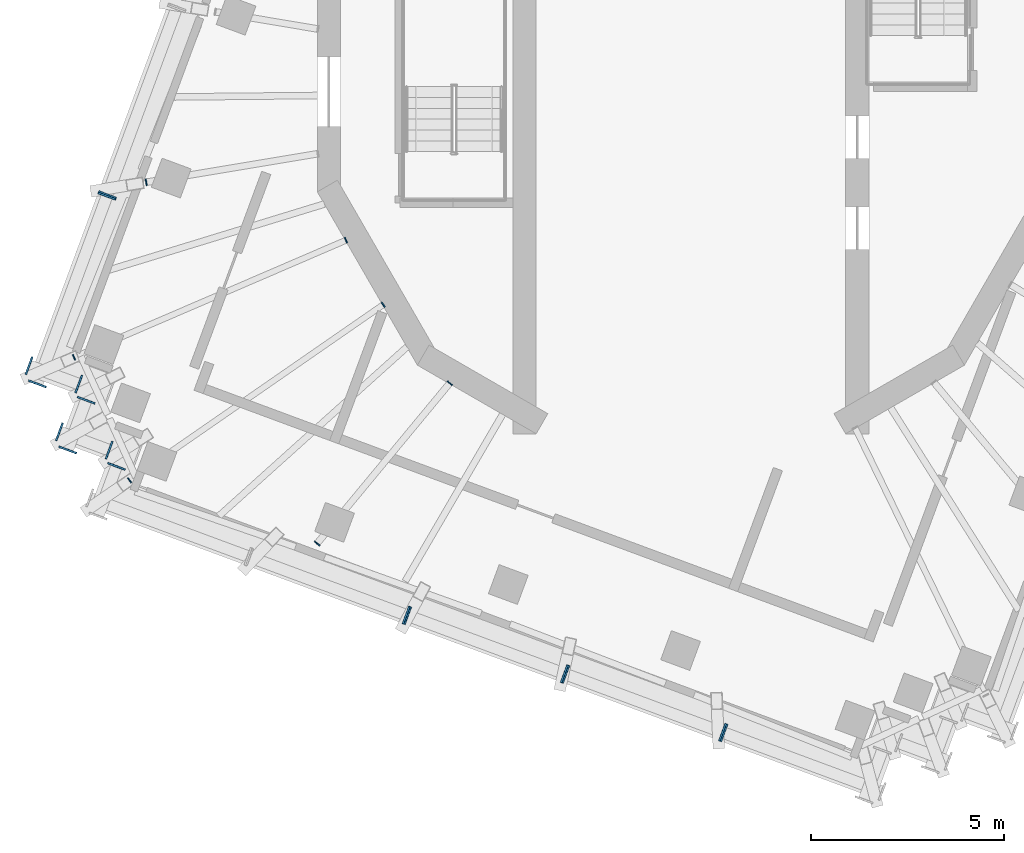
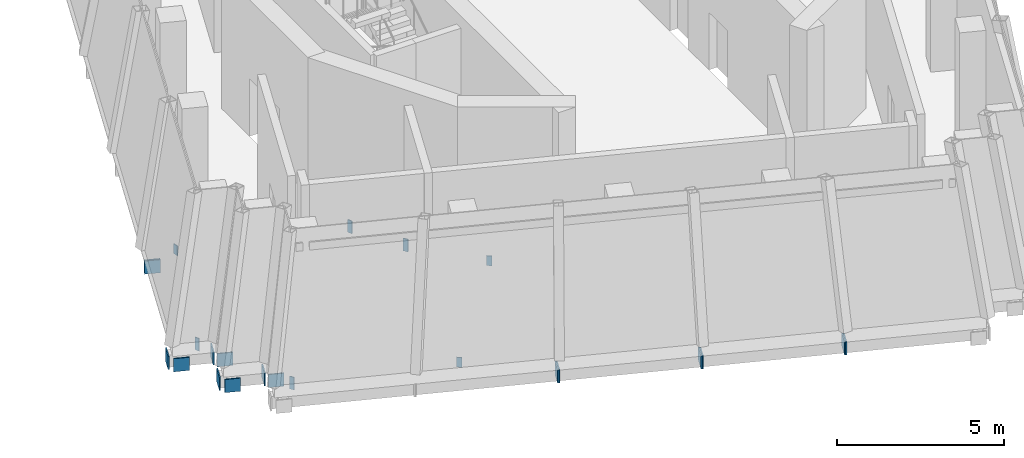
# One storey, part 7 of 13: 23 discrete accessories, 10 elements without a shape of their own.
"""IFC4 building model written with IfcOpenShell, lengths in metres."""

from ifc_helpers import new_model, si_unit, direction, frame, origin, place, context, subcontext, project, spatial, polyline, outline, extrude, material, layer, layer_set, type_object, element, aggregate, save


model = new_model("IFC4")

# Units and contexts
model_context = context("Model", 3, precision=1e-05, world=origin(), true_north=direction((0.0, 1.0)))
body_context = subcontext(model_context, "Body", "Model", "MODEL_VIEW")
ifc_project = project(units=[si_unit("LENGTHUNIT", "METRE"), si_unit("AREAUNIT", "SQUARE_METRE"), si_unit("VOLUMEUNIT", "CUBIC_METRE"), si_unit("PLANEANGLEUNIT", "RADIAN"), si_unit("MASSUNIT", "GRAM", prefix="KILO")], contexts=[model_context])

# Site, building, storey
site_placement = place(None, origin())
site = spatial("IfcSite", under=ifc_project, at=site_placement, CompositionType="ELEMENT")
building_placement = place(site_placement, origin())
building = spatial("IfcBuilding", under=site, at=building_placement, Name="Cantera Rosa Tower", CompositionType="ELEMENT")
storey_placement = place(building_placement, frame((0.0, 0.0, 355.699951171875)))
storey = spatial("IfcBuildingStorey", under=building, at=storey_placement, Name="L80", CompositionType="ELEMENT", Elevation=355.699951171875)

# Curtain wall, discrete accessory
ifc_material_1 = material(Name="Aluminium frame with clear glass", Category="aluminium")
curtain_wall_type = type_object("IfcCurtainWallType", Name="CW4 CROWN GLAZING", PredefinedType="NOTDEFINED", material=ifc_material_1)
curtain_wall_1_placement = place(storey_placement, origin())
curtain_wall_1 = element("IfcCurtainWall", 1, at=curtain_wall_1_placement, inside=storey, type_object=curtain_wall_type, Name="CW4 L80-13", PredefinedType="NOTDEFINED")
ifc_material_2 = material(Name="Steel S355J2 (EN 10025-2)", Category="steel")
ifc_layer = layer(ifc_material_2, 0.030029296875)
ifc_layer_set = layer_set([ifc_layer], Name="NODE PLATE 30")
discrete_accessory_type = type_object("IfcDiscreteAccessoryType", Name="NODE PLATE 30", PredefinedType="ANCHORPLATE", material=ifc_layer_set)
discrete_accessory_1_placement = place(storey_placement, frame((-14.881103515625, -2.8037109375, -0.43505859375), z_axis=(-0.347496626235, -0.937681233018, 0.0), x_axis=(-0.937681233018, 0.347496626235, 0.0)))
discrete_accessory_1 = element("IfcDiscreteAccessory", 2, at=discrete_accessory_1_placement, type_object=discrete_accessory_type, Name="END PLATE TE1", PredefinedType="ANCHORPLATE", context=body_context, shape_type="SweptSolid", body=[
    extrude(outline(polyline([(0.0, 0.0), (0.4798551533622547, 0.0), (0.4798551533622547, 0.47998046875), (0.0, 0.47998046875), (0.0, 0.0)])), origin(), (0.0, 0.0, -1.0), 0.0400390625),
])
aggregate(curtain_wall_1, [discrete_accessory_1])

# Curtain wall, discrete accessories
curtain_wall_2_placement = place(storey_placement, origin())
curtain_wall_2 = element("IfcCurtainWall", 3, at=curtain_wall_2_placement, inside=storey, type_object=curtain_wall_type, Name="CW4 L80-14", PredefinedType="NOTDEFINED")
discrete_accessory_2_placement = place(storey_placement, frame((-15.303466796875, -2.56201171875, -0.43505859375), z_axis=(0.347330918501, 0.937742626232, 0.0), x_axis=(0.937742626232, -0.347330918501, 0.0)))
discrete_accessory_2 = element("IfcDiscreteAccessory", 4, at=discrete_accessory_2_placement, type_object=discrete_accessory_type, Name="END PLATE TE0", PredefinedType="ANCHORPLATE", context=body_context, shape_type="SweptSolid", body=[
    extrude(outline(polyline([(0.0, 0.0), (0.4800840869406107, 0.0), (0.4800840869406107, 0.47998046875), (0.0, 0.47998046875), (0.0, 0.0)])), origin(), (0.0, 0.0, -1.0), 0.0400390625),
])
discrete_accessory_3_placement = place(storey_placement, frame((-16.6787109375, -7.65478515625, -0.43505859375), z_axis=(-0.347330918501, -0.937742626232, 0.0), x_axis=(-0.937742626232, 0.347330918501, 0.0)))
discrete_accessory_3 = element("IfcDiscreteAccessory", 5, at=discrete_accessory_3_placement, type_object=discrete_accessory_type, Name="END PLATE TE1", PredefinedType="ANCHORPLATE", context=body_context, shape_type="SweptSolid", body=[
    extrude(outline(polyline([(0.0, 0.0), (0.4800840869406107, 0.0), (0.4800840869406107, 0.47998046875), (0.0, 0.47998046875), (0.0, 0.0)])), origin(), (0.0, 0.0, -1.0), 0.0400390625),
])
aggregate(curtain_wall_2, [discrete_accessory_2, discrete_accessory_3])

curtain_wall_3_placement = place(storey_placement, origin())
curtain_wall_3 = element("IfcCurtainWall", 6, at=curtain_wall_3_placement, inside=storey, type_object=curtain_wall_type, Name="CW4 L80-15", PredefinedType="NOTDEFINED")
discrete_accessory_4_placement = place(storey_placement, frame((-17.215087890625, -7.30078125, -0.43505859375), z_axis=(-0.937681233018, 0.347496626235, 0.0), x_axis=(0.347496626235, 0.937681233018, 0.0)))
discrete_accessory_4 = element("IfcDiscreteAccessory", 7, at=discrete_accessory_4_placement, type_object=discrete_accessory_type, Name="END PLATE TE0", PredefinedType="ANCHORPLATE", context=body_context, shape_type="SweptSolid", body=[
    extrude(outline(polyline([(0.0, 0.0), (0.4798551533622547, 0.0), (0.4798551533622547, 0.47998046875), (0.0, 0.47998046875), (0.0, 0.0)])), origin(), (0.0, 0.0, -1.0), 0.0400390625),
])
discrete_accessory_5_placement = place(storey_placement, frame((-15.72607421875, -7.3408203125, -0.43505859375), z_axis=(0.937681233018, -0.347496626235, 0.0), x_axis=(-0.347496626235, -0.937681233018, 0.0)))
discrete_accessory_5 = element("IfcDiscreteAccessory", 8, at=discrete_accessory_5_placement, type_object=discrete_accessory_type, Name="END PLATE TE1", PredefinedType="ANCHORPLATE", context=body_context, shape_type="SweptSolid", body=[
    extrude(outline(polyline([(0.0, 0.0), (0.4798551533622547, 0.0), (0.4798551533622547, 0.47998046875), (0.0, 0.47998046875), (0.0, 0.0)])), origin(), (0.0, 0.0, -1.0), 0.0400390625),
])
aggregate(curtain_wall_3, [discrete_accessory_4, discrete_accessory_5])

curtain_wall_4_placement = place(storey_placement, origin())
curtain_wall_4 = element("IfcCurtainWall", 9, at=curtain_wall_4_placement, inside=storey, type_object=curtain_wall_type, Name="CW4 L80-16", PredefinedType="NOTDEFINED")
discrete_accessory_6_placement = place(storey_placement, frame((-15.854248046875, -7.875732421875, -0.43505859375), z_axis=(0.347777987911, 0.937576914778, 0.0), x_axis=(0.937576914778, -0.347777987911, 0.0)))
discrete_accessory_6 = element("IfcDiscreteAccessory", 10, at=discrete_accessory_6_placement, type_object=discrete_accessory_type, Name="END PLATE TE0", PredefinedType="ANCHORPLATE", context=body_context, shape_type="SweptSolid", body=[
    extrude(outline(polyline([(0.0, 0.0), (0.4801689391068604, 0.0), (0.4801689391068604, 0.47998046875), (0.0, 0.47998046875), (0.0, 0.0)])), origin(), (0.0, 0.0, -1.0), 0.0400390625),
])
discrete_accessory_7_placement = place(storey_placement, frame((-15.89404296875, -9.36474609375, -0.43505859375), z_axis=(-0.347330918501, -0.937742626232, 0.0), x_axis=(-0.937742626232, 0.347330918501, 0.0)))
discrete_accessory_7 = element("IfcDiscreteAccessory", 11, at=discrete_accessory_7_placement, type_object=discrete_accessory_type, Name="END PLATE TE1", PredefinedType="ANCHORPLATE", context=body_context, shape_type="SweptSolid", body=[
    extrude(outline(polyline([(0.0, 0.0), (0.4800840869406107, 0.0), (0.4800840869406107, 0.47998046875), (0.0, 0.47998046875), (0.0, 0.0)])), origin(), (0.0, 0.0, -1.0), 0.0400390625),
])
aggregate(curtain_wall_4, [discrete_accessory_6, discrete_accessory_7])

curtain_wall_5_placement = place(storey_placement, origin())
curtain_wall_5 = element("IfcCurtainWall", 12, at=curtain_wall_5_placement, inside=storey, type_object=curtain_wall_type, Name="CW4 L80-17", PredefinedType="NOTDEFINED")
discrete_accessory_8_placement = place(storey_placement, frame((-16.42919921875, -9.01025390625, -0.43505859375), z_axis=(-0.937681233018, 0.347496626235, 0.0), x_axis=(0.347496626235, 0.937681233018, 0.0)))
discrete_accessory_8 = element("IfcDiscreteAccessory", 13, at=discrete_accessory_8_placement, type_object=discrete_accessory_type, Name="END PLATE TE0", PredefinedType="ANCHORPLATE", context=body_context, shape_type="SweptSolid", body=[
    extrude(outline(polyline([(0.0, 0.0), (0.4798551533622547, 0.0), (0.4798551533622547, 0.47998046875), (0.0, 0.47998046875), (0.0, 0.0)])), origin(), (0.0, 0.0, -1.0), 0.0400390625),
])
discrete_accessory_9_placement = place(storey_placement, frame((-14.9404296875, -9.050048828125, -0.43505859375), z_axis=(0.937576914778, -0.347777987911, 0.0), x_axis=(-0.347777987911, -0.937576914778, 0.0)))
discrete_accessory_9 = element("IfcDiscreteAccessory", 14, at=discrete_accessory_9_placement, type_object=discrete_accessory_type, Name="END PLATE TE1", PredefinedType="ANCHORPLATE", context=body_context, shape_type="SweptSolid", body=[
    extrude(outline(polyline([(0.0, 0.0), (0.4801689391068604, 0.0), (0.4801689391068604, 0.47998046875), (0.0, 0.47998046875), (0.0, 0.0)])), origin(), (0.0, 0.0, -1.0), 0.0400390625),
])
aggregate(curtain_wall_5, [discrete_accessory_8, discrete_accessory_9])

# Curtain wall, discrete accessory
curtain_wall_6_placement = place(storey_placement, origin())
curtain_wall_6 = element("IfcCurtainWall", 15, at=curtain_wall_6_placement, inside=storey, type_object=curtain_wall_type, Name="CW4 L80-18", PredefinedType="NOTDEFINED")
discrete_accessory_10_placement = place(storey_placement, frame((-15.069580078125, -9.5859375, -0.43505859375), z_axis=(0.347330918501, 0.937742626232, 0.0), x_axis=(0.937742626232, -0.347330918501, 0.0)))
discrete_accessory_10 = element("IfcDiscreteAccessory", 16, at=discrete_accessory_10_placement, type_object=discrete_accessory_type, Name="END PLATE TE0", PredefinedType="ANCHORPLATE", context=body_context, shape_type="SweptSolid", body=[
    extrude(outline(polyline([(0.0, 0.0), (0.4800840869406107, 0.0), (0.4800840869406107, 0.47998046875), (0.0, 0.47998046875), (0.0, 0.0)])), origin(), (0.0, 0.0, -1.0), 0.0400390625),
])
aggregate(curtain_wall_6, [discrete_accessory_10])

curtain_wall_7_placement = place(storey_placement, origin())
curtain_wall_7 = element("IfcCurtainWall", 17, at=curtain_wall_7_placement, inside=storey, type_object=curtain_wall_type, Name="CW4 L80-20", PredefinedType="NOTDEFINED")
discrete_accessory_11_placement = place(storey_placement, frame((-7.22216796875, -13.328369140625, -0.43505859375), z_axis=(0.937576914778, -0.347777987911, 0.0), x_axis=(-0.347777987911, -0.937576914778, 0.0)))
discrete_accessory_11 = element("IfcDiscreteAccessory", 18, at=discrete_accessory_11_placement, type_object=discrete_accessory_type, Name="END PLATE TE1", PredefinedType="ANCHORPLATE", context=body_context, shape_type="SweptSolid", body=[
    extrude(outline(polyline([(0.0, 0.0), (0.4801689391068604, 0.0), (0.4801689391068604, 0.47998046875), (0.0, 0.47998046875), (0.0, 0.0)])), origin(), (0.0, 0.0, -1.0), 0.0400390625),
])
aggregate(curtain_wall_7, [discrete_accessory_11])

# Curtain wall, discrete accessories
curtain_wall_8_placement = place(storey_placement, origin())
curtain_wall_8 = element("IfcCurtainWall", 19, at=curtain_wall_8_placement, inside=storey, type_object=curtain_wall_type, Name="CW4 L80-21", PredefinedType="NOTDEFINED")
discrete_accessory_12_placement = place(storey_placement, frame((-7.464111328125, -13.750732421875, -0.43505859375), z_axis=(-0.937681233018, 0.347496626235, 0.0), x_axis=(0.347496626235, 0.937681233018, 0.0)))
discrete_accessory_12 = element("IfcDiscreteAccessory", 20, at=discrete_accessory_12_placement, type_object=discrete_accessory_type, Name="END PLATE TE0", PredefinedType="ANCHORPLATE", context=body_context, shape_type="SweptSolid", body=[
    extrude(outline(polyline([(0.0, 0.0), (0.4798551533622547, 0.0), (0.4798551533622547, 0.47998046875), (0.0, 0.47998046875), (0.0, 0.0)])), origin(), (0.0, 0.0, -1.0), 0.0400390625),
])
discrete_accessory_13_placement = place(storey_placement, frame((-3.13232421875, -14.843994140625, -0.43505859375), z_axis=(0.937742626232, -0.347330918501, 0.0), x_axis=(-0.347330918501, -0.937742626232, 0.0)))
discrete_accessory_13 = element("IfcDiscreteAccessory", 21, at=discrete_accessory_13_placement, type_object=discrete_accessory_type, Name="END PLATE TE1", PredefinedType="ANCHORPLATE", context=body_context, shape_type="SweptSolid", body=[
    extrude(outline(polyline([(0.0, 0.0), (0.4800840869406107, 0.0), (0.4800840869406107, 0.47998046875), (0.0, 0.47998046875), (0.0, 0.0)])), origin(), (0.0, 0.0, -1.0), 0.0400390625),
])
aggregate(curtain_wall_8, [discrete_accessory_12, discrete_accessory_13])

curtain_wall_9_placement = place(storey_placement, origin())
curtain_wall_9 = element("IfcCurtainWall", 22, at=curtain_wall_9_placement, inside=storey, type_object=curtain_wall_type, Name="CW4 L80-22", PredefinedType="NOTDEFINED")
discrete_accessory_14_placement = place(storey_placement, frame((-3.374267578125, -15.266357421875, -0.43505859375), z_axis=(-0.937742626232, 0.347330918501, 0.0), x_axis=(0.347330918501, 0.937742626232, 0.0)))
discrete_accessory_14 = element("IfcDiscreteAccessory", 23, at=discrete_accessory_14_placement, type_object=discrete_accessory_type, Name="END PLATE TE0", PredefinedType="ANCHORPLATE", context=body_context, shape_type="SweptSolid", body=[
    extrude(outline(polyline([(0.0, 0.0), (0.4800840869406107, 0.0), (0.4800840869406107, 0.47998046875), (0.0, 0.47998046875), (0.0, 0.0)])), origin(), (0.0, 0.0, -1.0), 0.0400390625),
])
discrete_accessory_15_placement = place(storey_placement, frame((0.95751953125, -16.359619140625, -0.43505859375), z_axis=(0.937742626232, -0.347330918501, 0.0), x_axis=(-0.347330918501, -0.937742626232, 0.0)))
discrete_accessory_15 = element("IfcDiscreteAccessory", 24, at=discrete_accessory_15_placement, type_object=discrete_accessory_type, Name="END PLATE TE1", PredefinedType="ANCHORPLATE", context=body_context, shape_type="SweptSolid", body=[
    extrude(outline(polyline([(0.0, 0.0), (0.4800840869406107, 0.0), (0.4800840869406107, 0.47998046875), (0.0, 0.47998046875), (0.0, 0.0)])), origin(), (0.0, 0.0, -1.0), 0.0400390625),
])
aggregate(curtain_wall_9, [discrete_accessory_14, discrete_accessory_15])

# Curtain wall, discrete accessory
curtain_wall_10_placement = place(storey_placement, origin())
curtain_wall_10 = element("IfcCurtainWall", 25, at=curtain_wall_10_placement, inside=storey, type_object=curtain_wall_type, Name="CW4 L80-23", PredefinedType="NOTDEFINED")
discrete_accessory_16_placement = place(storey_placement, frame((0.715576171875, -16.781982421875, -0.43505859375), z_axis=(-0.937742626232, 0.347330918501, 0.0), x_axis=(0.347330918501, 0.937742626232, 0.0)))
discrete_accessory_16 = element("IfcDiscreteAccessory", 26, at=discrete_accessory_16_placement, type_object=discrete_accessory_type, Name="END PLATE TE0", PredefinedType="ANCHORPLATE", context=body_context, shape_type="SweptSolid", body=[
    extrude(outline(polyline([(0.0, 0.0), (0.4800840869406107, 0.0), (0.4800840869406107, 0.47998046875), (0.0, 0.47998046875), (0.0, 0.0)])), origin(), (0.0, 0.0, -1.0), 0.0400390625),
])
aggregate(curtain_wall_10, [discrete_accessory_16])

# Discrete accessories
discrete_accessory_17_placement = place(storey_placement, frame((0.0, 0.0, -0.805908203125)))
element("IfcDiscreteAccessory", 27, at=discrete_accessory_17_placement, inside=storey, type_object=discrete_accessory_type, Name="END PLATE CG-Z6-07 L80 A", PredefinedType="ANCHORPLATE", context=body_context, shape_type="SweptSolid", body=[
    extrude(outline(polyline([(-14.05419921875, -2.423095703125), (-14.083984375, -2.427978515625), (-14.11181640625, -2.25927734375), (-14.082275390625, -2.25439453125), (-14.05419921875, -2.423095703125)])), origin(), (0.0, 0.0, 1.0), 0.35595703125),
])
discrete_accessory_18_placement = place(storey_placement, frame((0.0, 0.0, -0.909912109375)))
element("IfcDiscreteAccessory", 28, at=discrete_accessory_18_placement, inside=storey, type_object=discrete_accessory_type, Name="END PLATE CG-Z6-08 L80 A", PredefinedType="ANCHORPLATE", context=body_context, shape_type="SweptSolid", body=[
    extrude(outline(polyline([(-15.9072265625, -6.934814453125), (-15.9345703125, -6.94677734375), (-15.99560546875, -6.80517578125), (-15.968017578125, -6.79345703125), (-15.9072265625, -6.934814453125)])), origin(), (0.0, 0.0, 1.0), 0.4599609375),
])
discrete_accessory_19_placement = place(storey_placement, frame((0.0, 0.0, -0.909912109375)))
element("IfcDiscreteAccessory", 29, at=discrete_accessory_19_placement, inside=storey, type_object=discrete_accessory_type, Name="END PLATE CG-Z6-08 L80 B", PredefinedType="ANCHORPLATE", context=body_context, shape_type="SweptSolid", body=[
    extrude(outline(polyline([(-8.962890625, -3.7763671875), (-8.935302734375, -3.764404296875), (-8.87451171875, -3.906005859375), (-8.90185546875, -3.917724609375), (-8.962890625, -3.7763671875)])), origin(), (0.0, 0.0, 1.0), 0.4599609375),
])
discrete_accessory_20_placement = place(storey_placement, frame((0.0, 0.0, -0.909912109375)))
element("IfcDiscreteAccessory", 30, at=discrete_accessory_20_placement, inside=storey, type_object=discrete_accessory_type, Name="END PLATE CG-Z6-09 L80 A", PredefinedType="ANCHORPLATE", context=body_context, shape_type="SweptSolid", body=[
    extrude(outline(polyline([(-14.4560546875, -10.103271484375), (-14.480712890625, -10.120361328125), (-14.568359375, -9.99365234375), (-14.543701171875, -9.9765625), (-14.4560546875, -10.103271484375)])), origin(), (0.0, 0.0, 1.0), 0.4599609375),
])
discrete_accessory_21_placement = place(storey_placement, frame((0.0, 0.0, -0.909912109375)))
element("IfcDiscreteAccessory", 31, at=discrete_accessory_21_placement, inside=storey, type_object=discrete_accessory_type, Name="END PLATE CG-Z6-09 L80 B", PredefinedType="ANCHORPLATE", context=body_context, shape_type="SweptSolid", body=[
    extrude(outline(polyline([(-8.011962890625, -5.453857421875), (-7.9873046875, -5.436767578125), (-7.899658203125, -5.5634765625), (-7.92431640625, -5.58056640625), (-8.011962890625, -5.453857421875)])), origin(), (0.0, 0.0, 1.0), 0.4599609375),
])
discrete_accessory_22_placement = place(storey_placement, frame((0.0, 0.0, -0.805908203125)))
element("IfcDiscreteAccessory", 32, at=discrete_accessory_22_placement, inside=storey, type_object=discrete_accessory_type, Name="END PLATE CG-Z6-10 L80 A", PredefinedType="ANCHORPLATE", context=body_context, shape_type="SweptSolid", body=[
    extrude(outline(polyline([(-9.58984375, -11.723388671875), (-9.609130859375, -11.74658203125), (-9.74072265625, -11.6376953125), (-9.7216796875, -11.614501953125), (-9.58984375, -11.723388671875)])), origin(), (0.0, 0.0, 1.0), 0.35595703125),
])
discrete_accessory_23_placement = place(storey_placement, frame((0.0, 0.0, -0.805908203125)))
element("IfcDiscreteAccessory", 33, at=discrete_accessory_23_placement, inside=storey, type_object=discrete_accessory_type, Name="END PLATE CG-Z6-10 L80 B", PredefinedType="ANCHORPLATE", context=body_context, shape_type="SweptSolid", body=[
    extrude(outline(polyline([(-6.3115234375, -7.4931640625), (-6.292236328125, -7.469970703125), (-6.16064453125, -7.5791015625), (-6.1796875, -7.602294921875), (-6.3115234375, -7.4931640625)])), origin(), (0.0, 0.0, 1.0), 0.35595703125),
])

save(model, "model.ifc")
